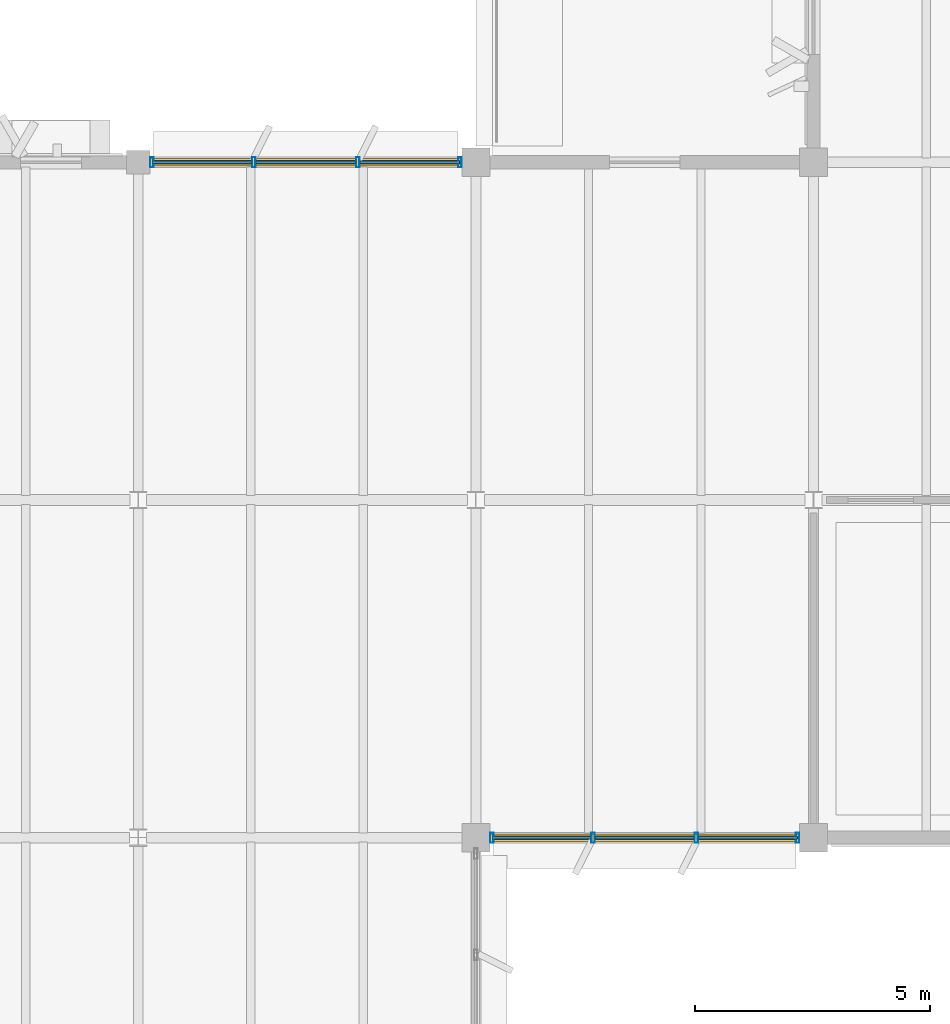
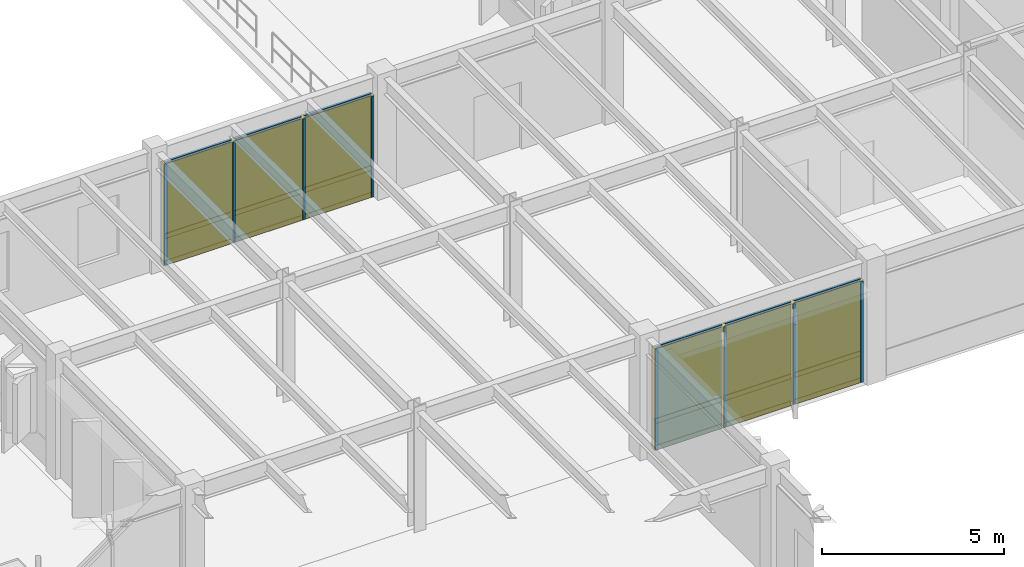
# One storey, part 54 of 85: 26 members, 12 plates, 2 curtain walls.
"""IFC4 building model written with IfcOpenShell, lengths in metres."""

from ifc_helpers import new_model, si_unit, direction, frame, origin, origin_2d, place, context, subcontext, project, spatial, rectangle, hollow_rectangle, extrude, material, layer, layer_set, material_profile, profile_set, type_object, element, aggregate, save


model = new_model("IFC4")

# Units and contexts
model_context = context("Model", 3, precision=1e-05, world=origin(), true_north=direction((0.0, 1.0)))
body_context = subcontext(model_context, "Body", "Model", "MODEL_VIEW")
ifc_project = project(units=[si_unit("LENGTHUNIT", "METRE"), si_unit("AREAUNIT", "SQUARE_METRE"), si_unit("VOLUMEUNIT", "CUBIC_METRE"), si_unit("PLANEANGLEUNIT", "RADIAN"), si_unit("MASSUNIT", "GRAM", prefix="KILO")], contexts=[model_context])

# Member
ifc_material_1 = material(Name="Anodized Aluminium 6063-T6", Category="aluminium")
ifc_material_profile_1 = material_profile(ifc_material_1, hollow_rectangle(XDim=0.074951171875, YDim=0.219970703125, WallThickness=0.0048828125, at=origin_2d()), Name="ALU 75x220x5")
ifc_profile_set_1 = profile_set([ifc_material_profile_1], Name="Anodized Aluminium 6063-T6")
member_type_1 = type_object("IfcMemberType", Name="CWM-75X180", PredefinedType="MULLION", material=ifc_profile_set_1)
site_placement = place(None, origin())
building_placement = place(site_placement, origin())
storey_placement = place(building_placement, frame((0.0, 0.0, 9.89990234375)))
member_1_placement = place(storey_placement, frame((29.090087890625, 93.60009765625, 0.02001953125), z_axis=(0.0, 0.0, 1.0), x_axis=(1.0, 0.0, 0.0)))
member_1 = element("IfcMember", 1, at=member_1_placement, type_object=member_type_1, Name="Curtain wall mullion CW-L03-04-12-N-00", PredefinedType="MULLION", context=body_context, shape_type="SweptSolid", body=[
    extrude(hollow_rectangle(XDim=0.074951171875, YDim=0.219970703125, WallThickness=0.0048828125, at=origin_2d()), origin(), (0.0, 0.0, 1.0), 3.378173828125),
])

member_2_placement = place(storey_placement, frame((31.2666015625, 93.60009765625, 0.02001953125), z_axis=(0.0, 0.0, 1.0), x_axis=(1.0, 0.0, 0.0)))
member_2 = element("IfcMember", 2, at=member_2_placement, type_object=member_type_1, Name="Curtain wall mullion CW-L03-04-12-N-01", PredefinedType="MULLION", context=body_context, shape_type="SweptSolid", body=[
    extrude(hollow_rectangle(XDim=0.074951171875, YDim=0.219970703125, WallThickness=0.0048828125, at=origin_2d()), origin(), (0.0, 0.0, 1.0), 3.378173828125),
])

member_3_placement = place(storey_placement, frame((33.4833984375, 93.60009765625, 0.02001953125), z_axis=(0.0, 0.0, 1.0), x_axis=(1.0, 0.0, 0.0)))
member_3 = element("IfcMember", 3, at=member_3_placement, type_object=member_type_1, Name="Curtain wall mullion CW-L03-04-12-N-02", PredefinedType="MULLION", context=body_context, shape_type="SweptSolid", body=[
    extrude(hollow_rectangle(XDim=0.074951171875, YDim=0.219970703125, WallThickness=0.0048828125, at=origin_2d()), origin(), (0.0, 0.0, 1.0), 3.378173828125),
])

member_4_placement = place(storey_placement, frame((35.659912109375, 93.60009765625, 0.02001953125), z_axis=(0.0, 0.0, 1.0), x_axis=(1.0, 0.0, 0.0)))
member_4 = element("IfcMember", 4, at=member_4_placement, type_object=member_type_1, Name="Curtain wall mullion CW-L03-04-12-N-03", PredefinedType="MULLION", context=body_context, shape_type="SweptSolid", body=[
    extrude(hollow_rectangle(XDim=0.074951171875, YDim=0.219970703125, WallThickness=0.0048828125, at=origin_2d()), origin(), (0.0, 0.0, 1.0), 3.378173828125),
])

member_5_placement = place(storey_placement, frame((42.860107421875, 79.199951171875, 0.02001953125), z_axis=(0.0, 0.0, 1.0), x_axis=(1.0, 0.0, 0.0)))
member_5 = element("IfcMember", 5, at=member_5_placement, type_object=member_type_1, Name="Curtain wall mullion CW-L03-05-11-S-00", PredefinedType="MULLION", context=body_context, shape_type="SweptSolid", body=[
    extrude(hollow_rectangle(XDim=0.074951171875, YDim=0.219970703125, WallThickness=0.0048828125, at=origin_2d()), origin(), (0.0, 0.0, 1.0), 3.378173828125),
])

member_6_placement = place(storey_placement, frame((40.699951171875, 79.199951171875, 0.02001953125), z_axis=(0.0, 0.0, 1.0), x_axis=(1.0, 0.0, 0.0)))
member_6 = element("IfcMember", 6, at=member_6_placement, type_object=member_type_1, Name="Curtain wall mullion CW-L03-05-11-S-01", PredefinedType="MULLION", context=body_context, shape_type="SweptSolid", body=[
    extrude(hollow_rectangle(XDim=0.074951171875, YDim=0.219970703125, WallThickness=0.0048828125, at=origin_2d()), origin(), (0.0, 0.0, 1.0), 3.378173828125),
])

member_7_placement = place(storey_placement, frame((38.5, 79.199951171875, 0.02001953125), z_axis=(0.0, 0.0, 1.0), x_axis=(1.0, 0.0, 0.0)))
member_7 = element("IfcMember", 7, at=member_7_placement, type_object=member_type_1, Name="Curtain wall mullion CW-L03-05-11-S-02", PredefinedType="MULLION", context=body_context, shape_type="SweptSolid", body=[
    extrude(hollow_rectangle(XDim=0.074951171875, YDim=0.219970703125, WallThickness=0.0048828125, at=origin_2d()), origin(), (0.0, 0.0, 1.0), 3.378173828125),
])

member_8_placement = place(storey_placement, frame((36.340087890625, 79.199951171875, 0.02001953125), z_axis=(0.0, 0.0, 1.0), x_axis=(1.0, 0.0, 0.0)))
member_8 = element("IfcMember", 8, at=member_8_placement, type_object=member_type_1, Name="Curtain wall mullion CW-L03-05-11-S-03", PredefinedType="MULLION", context=body_context, shape_type="SweptSolid", body=[
    extrude(hollow_rectangle(XDim=0.074951171875, YDim=0.219970703125, WallThickness=0.0048828125, at=origin_2d()), origin(), (0.0, 0.0, 1.0), 3.378173828125),
])

ifc_material_profile_2 = material_profile(ifc_material_1, hollow_rectangle(XDim=0.074951171875, YDim=0.159912109375, WallThickness=0.00390625, at=origin_2d()), Name="ALU 75x160x4")
ifc_profile_set_2 = profile_set([ifc_material_profile_2], Name="Anodized Aluminium 6063-T6")
member_type_2 = type_object("IfcMemberType", Name="CWT-75X150", PredefinedType="USERDEFINED", material=ifc_profile_set_2)
member_9_placement = place(storey_placement, frame((29.10009765625, 93.60009765625, 0.050048828125), z_axis=(1.0, 0.0, 0.0), x_axis=(0.0, 1.0, 0.0)))
member_9 = element("IfcMember", 9, at=member_9_placement, type_object=member_type_2, Name="Curtain wall transom CW-L03-04-12-N-1.01", ObjectType="TRANSOM", PredefinedType="USERDEFINED", context=body_context, shape_type="SweptSolid", body=[
    extrude(hollow_rectangle(XDim=0.074951171875, YDim=0.159912109375, WallThickness=0.00390625, at=origin_2d()), origin(), (0.0, 0.0, 1.0), 2.11669921875),
])

member_10_placement = place(storey_placement, frame((31.316650390625, 93.60009765625, 0.050048828125), z_axis=(1.0, 0.0, 0.0), x_axis=(0.0, 1.0, 0.0)))
member_10 = element("IfcMember", 10, at=member_10_placement, type_object=member_type_2, Name="Curtain wall transom CW-L03-04-12-N-1.02", ObjectType="TRANSOM", PredefinedType="USERDEFINED", context=body_context, shape_type="SweptSolid", body=[
    extrude(hollow_rectangle(XDim=0.074951171875, YDim=0.159912109375, WallThickness=0.00390625, at=origin_2d()), origin(), (0.0, 0.0, 1.0), 2.11669921875),
])

member_11_placement = place(storey_placement, frame((33.533203125, 93.60009765625, 0.050048828125), z_axis=(1.0, 0.0, 0.0), x_axis=(0.0, 1.0, 0.0)))
member_11 = element("IfcMember", 11, at=member_11_placement, type_object=member_type_2, Name="Curtain wall transom CW-L03-04-12-N-1.03", ObjectType="TRANSOM", PredefinedType="USERDEFINED", context=body_context, shape_type="SweptSolid", body=[
    extrude(hollow_rectangle(XDim=0.074951171875, YDim=0.159912109375, WallThickness=0.00390625, at=origin_2d()), origin(), (0.0, 0.0, 1.0), 2.11669921875),
])

member_12_placement = place(storey_placement, frame((29.10009765625, 93.60009765625, 0.9501953125), z_axis=(1.0, 0.0, 0.0), x_axis=(0.0, 1.0, 0.0)))
member_12 = element("IfcMember", 12, at=member_12_placement, type_object=member_type_2, Name="Curtain wall transom CW-L03-04-12-N-2.01", ObjectType="TRANSOM", PredefinedType="USERDEFINED", context=body_context, shape_type="SweptSolid", body=[
    extrude(hollow_rectangle(XDim=0.074951171875, YDim=0.159912109375, WallThickness=0.00390625, at=origin_2d()), origin(), (0.0, 0.0, 1.0), 2.11669921875),
])

member_13_placement = place(storey_placement, frame((31.316650390625, 93.60009765625, 0.9501953125), z_axis=(1.0, 0.0, 0.0), x_axis=(0.0, 1.0, 0.0)))
member_13 = element("IfcMember", 13, at=member_13_placement, type_object=member_type_2, Name="Curtain wall transom CW-L03-04-12-N-2.02", ObjectType="TRANSOM", PredefinedType="USERDEFINED", context=body_context, shape_type="SweptSolid", body=[
    extrude(hollow_rectangle(XDim=0.074951171875, YDim=0.159912109375, WallThickness=0.00390625, at=origin_2d()), origin(), (0.0, 0.0, 1.0), 2.11669921875),
])

member_14_placement = place(storey_placement, frame((33.533203125, 93.60009765625, 0.9501953125), z_axis=(1.0, 0.0, 0.0), x_axis=(0.0, 1.0, 0.0)))
member_14 = element("IfcMember", 14, at=member_14_placement, type_object=member_type_2, Name="Curtain wall transom CW-L03-04-12-N-2.03", ObjectType="TRANSOM", PredefinedType="USERDEFINED", context=body_context, shape_type="SweptSolid", body=[
    extrude(hollow_rectangle(XDim=0.074951171875, YDim=0.159912109375, WallThickness=0.00390625, at=origin_2d()), origin(), (0.0, 0.0, 1.0), 2.11669921875),
])

member_15_placement = place(storey_placement, frame((29.10009765625, 93.60009765625, 3.3681640625), z_axis=(1.0, 0.0, 0.0), x_axis=(0.0, 1.0, 0.0)))
member_15 = element("IfcMember", 15, at=member_15_placement, type_object=member_type_2, Name="Curtain wall transom CW-L03-04-12-N-3.01", ObjectType="TRANSOM", PredefinedType="USERDEFINED", context=body_context, shape_type="SweptSolid", body=[
    extrude(hollow_rectangle(XDim=0.074951171875, YDim=0.159912109375, WallThickness=0.00390625, at=origin_2d()), origin(), (0.0, 0.0, 1.0), 2.11669921875),
])

member_16_placement = place(storey_placement, frame((31.316650390625, 93.60009765625, 3.3681640625), z_axis=(1.0, 0.0, 0.0), x_axis=(0.0, 1.0, 0.0)))
member_16 = element("IfcMember", 16, at=member_16_placement, type_object=member_type_2, Name="Curtain wall transom CW-L03-04-12-N-3.02", ObjectType="TRANSOM", PredefinedType="USERDEFINED", context=body_context, shape_type="SweptSolid", body=[
    extrude(hollow_rectangle(XDim=0.074951171875, YDim=0.159912109375, WallThickness=0.00390625, at=origin_2d()), origin(), (0.0, 0.0, 1.0), 2.11669921875),
])

member_17_placement = place(storey_placement, frame((33.533203125, 93.60009765625, 3.3681640625), z_axis=(1.0, 0.0, 0.0), x_axis=(0.0, 1.0, 0.0)))
member_17 = element("IfcMember", 17, at=member_17_placement, type_object=member_type_2, Name="Curtain wall transom CW-L03-04-12-N-3.03", ObjectType="TRANSOM", PredefinedType="USERDEFINED", context=body_context, shape_type="SweptSolid", body=[
    extrude(hollow_rectangle(XDim=0.074951171875, YDim=0.159912109375, WallThickness=0.00390625, at=origin_2d()), origin(), (0.0, 0.0, 1.0), 2.11669921875),
])

member_18_placement = place(storey_placement, frame((42.85009765625, 79.199951171875, 0.050048828125), z_axis=(-1.0, 0.0, 0.0), x_axis=(0.0, -1.0, 0.0)))
member_18 = element("IfcMember", 18, at=member_18_placement, type_object=member_type_2, Name="Curtain wall transom CW-L03-05-11-S-1.01", ObjectType="TRANSOM", PredefinedType="USERDEFINED", context=body_context, shape_type="SweptSolid", body=[
    extrude(hollow_rectangle(XDim=0.074951171875, YDim=0.159912109375, WallThickness=0.00390625, at=origin_2d()), origin(), (0.0, 0.0, 1.0), 2.10009765625),
])

member_19_placement = place(storey_placement, frame((40.64990234375, 79.199951171875, 0.050048828125), z_axis=(-1.0, 0.0, 0.0), x_axis=(0.0, -1.0, 0.0)))
member_19 = element("IfcMember", 19, at=member_19_placement, type_object=member_type_2, Name="Curtain wall transom CW-L03-05-11-S-1.02", ObjectType="TRANSOM", PredefinedType="USERDEFINED", context=body_context, shape_type="SweptSolid", body=[
    extrude(hollow_rectangle(XDim=0.074951171875, YDim=0.159912109375, WallThickness=0.00390625, at=origin_2d()), origin(), (0.0, 0.0, 1.0), 2.099853515625),
])

member_20_placement = place(storey_placement, frame((38.449951171875, 79.199951171875, 0.050048828125), z_axis=(-1.0, 0.0, 0.0), x_axis=(0.0, -1.0, 0.0)))
member_20 = element("IfcMember", 20, at=member_20_placement, type_object=member_type_2, Name="Curtain wall transom CW-L03-05-11-S-1.03", ObjectType="TRANSOM", PredefinedType="USERDEFINED", context=body_context, shape_type="SweptSolid", body=[
    extrude(hollow_rectangle(XDim=0.074951171875, YDim=0.159912109375, WallThickness=0.00390625, at=origin_2d()), origin(), (0.0, 0.0, 1.0), 2.099853515625),
])

member_21_placement = place(storey_placement, frame((42.85009765625, 79.199951171875, 0.9501953125), z_axis=(-1.0, 0.0, 0.0), x_axis=(0.0, -1.0, 0.0)))
member_21 = element("IfcMember", 21, at=member_21_placement, type_object=member_type_2, Name="Curtain wall transom CW-L03-05-11-S-2.01", ObjectType="TRANSOM", PredefinedType="USERDEFINED", context=body_context, shape_type="SweptSolid", body=[
    extrude(hollow_rectangle(XDim=0.074951171875, YDim=0.159912109375, WallThickness=0.00390625, at=origin_2d()), origin(), (0.0, 0.0, 1.0), 2.10009765625),
])

member_22_placement = place(storey_placement, frame((40.64990234375, 79.199951171875, 0.9501953125), z_axis=(-1.0, 0.0, 0.0), x_axis=(0.0, -1.0, 0.0)))
member_22 = element("IfcMember", 22, at=member_22_placement, type_object=member_type_2, Name="Curtain wall transom CW-L03-05-11-S-2.02", ObjectType="TRANSOM", PredefinedType="USERDEFINED", context=body_context, shape_type="SweptSolid", body=[
    extrude(hollow_rectangle(XDim=0.074951171875, YDim=0.159912109375, WallThickness=0.00390625, at=origin_2d()), origin(), (0.0, 0.0, 1.0), 2.099853515625),
])

member_23_placement = place(storey_placement, frame((38.449951171875, 79.199951171875, 0.9501953125), z_axis=(-1.0, 0.0, 0.0), x_axis=(0.0, -1.0, 0.0)))
member_23 = element("IfcMember", 23, at=member_23_placement, type_object=member_type_2, Name="Curtain wall transom CW-L03-05-11-S-2.03", ObjectType="TRANSOM", PredefinedType="USERDEFINED", context=body_context, shape_type="SweptSolid", body=[
    extrude(hollow_rectangle(XDim=0.074951171875, YDim=0.159912109375, WallThickness=0.00390625, at=origin_2d()), origin(), (0.0, 0.0, 1.0), 2.099853515625),
])

member_24_placement = place(storey_placement, frame((42.85009765625, 79.199951171875, 3.3681640625), z_axis=(-1.0, 0.0, 0.0), x_axis=(0.0, -1.0, 0.0)))
member_24 = element("IfcMember", 24, at=member_24_placement, type_object=member_type_2, Name="Curtain wall transom CW-L03-05-11-S-3.01", ObjectType="TRANSOM", PredefinedType="USERDEFINED", context=body_context, shape_type="SweptSolid", body=[
    extrude(hollow_rectangle(XDim=0.074951171875, YDim=0.159912109375, WallThickness=0.00390625, at=origin_2d()), origin(), (0.0, 0.0, 1.0), 2.10009765625),
])

member_25_placement = place(storey_placement, frame((40.64990234375, 79.199951171875, 3.3681640625), z_axis=(-1.0, 0.0, 0.0), x_axis=(0.0, -1.0, 0.0)))
member_25 = element("IfcMember", 25, at=member_25_placement, type_object=member_type_2, Name="Curtain wall transom CW-L03-05-11-S-3.02", ObjectType="TRANSOM", PredefinedType="USERDEFINED", context=body_context, shape_type="SweptSolid", body=[
    extrude(hollow_rectangle(XDim=0.074951171875, YDim=0.159912109375, WallThickness=0.00390625, at=origin_2d()), origin(), (0.0, 0.0, 1.0), 2.099853515625),
])

member_26_placement = place(storey_placement, frame((38.449951171875, 79.199951171875, 3.3681640625), z_axis=(-1.0, 0.0, 0.0), x_axis=(0.0, -1.0, 0.0)))
member_26 = element("IfcMember", 26, at=member_26_placement, type_object=member_type_2, Name="Curtain wall transom CW-L03-05-11-S-3.03", ObjectType="TRANSOM", PredefinedType="USERDEFINED", context=body_context, shape_type="SweptSolid", body=[
    extrude(hollow_rectangle(XDim=0.074951171875, YDim=0.159912109375, WallThickness=0.00390625, at=origin_2d()), origin(), (0.0, 0.0, 1.0), 2.099853515625),
])

# Plate
ifc_material_2 = material(Name="Acoustic Laminated Low-E Glazing", Category="glass")
ifc_layer_1 = layer(ifc_material_2, 0.0439453125)
ifc_layer_set_1 = layer_set([ifc_layer_1], Name="Acoustic Laminated Low-E Glazing")
plate_type_1 = type_object("IfcPlateType", Name="CWP-IGU-44", PredefinedType="CURTAIN_PANEL", material=ifc_layer_set_1)
plate_1_placement = place(storey_placement, frame((30.158203125, 93.60009765625, 0.990234375), z_axis=(0.0, 0.0, 1.0), x_axis=(1.0, 0.0, 0.0)))
plate_1 = element("IfcPlate", 27, at=plate_1_placement, type_object=plate_type_1, Name="Curtain wall vision glazing CW-L03-04-12-N-01", PredefinedType="CURTAIN_PANEL", context=body_context, shape_type="SweptSolid", body=[
    extrude(rectangle(XDim=2.126708984375, YDim=0.0400390625, at=origin_2d()), origin(), (0.0, 0.0, 1.0), 2.367919921875),
])

plate_2_placement = place(storey_placement, frame((32.375, 93.60009765625, 0.990234375), z_axis=(0.0, 0.0, 1.0), x_axis=(1.0, 0.0, 0.0)))
plate_2 = element("IfcPlate", 28, at=plate_2_placement, type_object=plate_type_1, Name="Curtain wall vision glazing CW-L03-04-12-N-02", PredefinedType="CURTAIN_PANEL", context=body_context, shape_type="SweptSolid", body=[
    extrude(rectangle(XDim=2.126708984375, YDim=0.0400390625, at=origin_2d()), origin(), (0.0, 0.0, 1.0), 2.367919921875),
])

plate_3_placement = place(storey_placement, frame((34.591796875, 93.60009765625, 0.990234375), z_axis=(0.0, 0.0, 1.0), x_axis=(1.0, 0.0, 0.0)))
plate_3 = element("IfcPlate", 29, at=plate_3_placement, type_object=plate_type_1, Name="Curtain wall vision glazing CW-L03-04-12-N-03", PredefinedType="CURTAIN_PANEL", context=body_context, shape_type="SweptSolid", body=[
    extrude(rectangle(XDim=2.126708984375, YDim=0.0400390625, at=origin_2d()), origin(), (0.0, 0.0, 1.0), 2.367919921875),
])

plate_4_placement = place(storey_placement, frame((41.800048828125, 79.199951171875, 0.990234375), z_axis=(0.0, 0.0, 1.0), x_axis=(-1.0, 0.0, 0.0)))
plate_4 = element("IfcPlate", 30, at=plate_4_placement, type_object=plate_type_1, Name="Curtain wall vision glazing CW-L03-05-11-S-01", PredefinedType="CURTAIN_PANEL", context=body_context, shape_type="SweptSolid", body=[
    extrude(rectangle(XDim=2.110107421875, YDim=0.0400390625, at=origin_2d()), origin(), (0.0, 0.0, 1.0), 2.367919921875),
])

plate_5_placement = place(storey_placement, frame((39.60009765625, 79.199951171875, 0.990234375), z_axis=(0.0, 0.0, 1.0), x_axis=(-1.0, 0.0, 0.0)))
plate_5 = element("IfcPlate", 31, at=plate_5_placement, type_object=plate_type_1, Name="Curtain wall vision glazing CW-L03-05-11-S-02", PredefinedType="CURTAIN_PANEL", context=body_context, shape_type="SweptSolid", body=[
    extrude(rectangle(XDim=2.110107421875, YDim=0.0400390625, at=origin_2d()), origin(), (0.0, 0.0, 1.0), 2.367919921875),
])

plate_6_placement = place(storey_placement, frame((37.39990234375, 79.199951171875, 0.990234375), z_axis=(0.0, 0.0, 1.0), x_axis=(-1.0, 0.0, 0.0)))
plate_6 = element("IfcPlate", 32, at=plate_6_placement, type_object=plate_type_1, Name="Curtain wall vision glazing CW-L03-05-11-S-03", PredefinedType="CURTAIN_PANEL", context=body_context, shape_type="SweptSolid", body=[
    extrude(rectangle(XDim=2.110107421875, YDim=0.0400390625, at=origin_2d()), origin(), (0.0, 0.0, 1.0), 2.367919921875),
])

ifc_material_3 = material(Name="Insulated Stone-Composite Spandrel", Category="masonry")
ifc_layer_2 = layer(ifc_material_3, 0.068115234375)
ifc_layer_set_2 = layer_set([ifc_layer_2], Name="Insulated Stone-Composite Spandrel")
plate_type_2 = type_object("IfcPlateType", Name="CWP-SPN-68", PredefinedType="CURTAIN_PANEL", material=ifc_layer_set_2)
plate_7_placement = place(storey_placement, frame((30.158203125, 93.60009765625, 0.080078125), z_axis=(0.0, 0.0, 1.0), x_axis=(1.0, 0.0, 0.0)))
plate_7 = element("IfcPlate", 33, at=plate_7_placement, type_object=plate_type_2, Name="Curtain wall spandrel panel CW-L03-04-12-N-01", PredefinedType="CURTAIN_PANEL", context=body_context, shape_type="SweptSolid", body=[
    extrude(rectangle(XDim=2.126708984375, YDim=0.06005859375, at=origin_2d()), origin(), (0.0, 0.0, 1.0), 0.840087890625),
])

plate_8_placement = place(storey_placement, frame((32.375, 93.60009765625, 0.080078125), z_axis=(0.0, 0.0, 1.0), x_axis=(1.0, 0.0, 0.0)))
plate_8 = element("IfcPlate", 34, at=plate_8_placement, type_object=plate_type_2, Name="Curtain wall spandrel panel CW-L03-04-12-N-02", PredefinedType="CURTAIN_PANEL", context=body_context, shape_type="SweptSolid", body=[
    extrude(rectangle(XDim=2.126708984375, YDim=0.06005859375, at=origin_2d()), origin(), (0.0, 0.0, 1.0), 0.840087890625),
])

plate_9_placement = place(storey_placement, frame((34.591796875, 93.60009765625, 0.080078125), z_axis=(0.0, 0.0, 1.0), x_axis=(1.0, 0.0, 0.0)))
plate_9 = element("IfcPlate", 35, at=plate_9_placement, type_object=plate_type_2, Name="Curtain wall spandrel panel CW-L03-04-12-N-03", PredefinedType="CURTAIN_PANEL", context=body_context, shape_type="SweptSolid", body=[
    extrude(rectangle(XDim=2.126708984375, YDim=0.06005859375, at=origin_2d()), origin(), (0.0, 0.0, 1.0), 0.840087890625),
])

plate_10_placement = place(storey_placement, frame((41.800048828125, 79.199951171875, 0.080078125), z_axis=(0.0, 0.0, 1.0), x_axis=(-1.0, 0.0, 0.0)))
plate_10 = element("IfcPlate", 36, at=plate_10_placement, type_object=plate_type_2, Name="Curtain wall spandrel panel CW-L03-05-11-S-01", PredefinedType="CURTAIN_PANEL", context=body_context, shape_type="SweptSolid", body=[
    extrude(rectangle(XDim=2.110107421875, YDim=0.06005859375, at=origin_2d()), origin(), (0.0, 0.0, 1.0), 0.840087890625),
])

plate_11_placement = place(storey_placement, frame((39.60009765625, 79.199951171875, 0.080078125), z_axis=(0.0, 0.0, 1.0), x_axis=(-1.0, 0.0, 0.0)))
plate_11 = element("IfcPlate", 37, at=plate_11_placement, type_object=plate_type_2, Name="Curtain wall spandrel panel CW-L03-05-11-S-02", PredefinedType="CURTAIN_PANEL", context=body_context, shape_type="SweptSolid", body=[
    extrude(rectangle(XDim=2.110107421875, YDim=0.06005859375, at=origin_2d()), origin(), (0.0, 0.0, 1.0), 0.840087890625),
])

plate_12_placement = place(storey_placement, frame((37.39990234375, 79.199951171875, 0.080078125), z_axis=(0.0, 0.0, 1.0), x_axis=(-1.0, 0.0, 0.0)))
plate_12 = element("IfcPlate", 38, at=plate_12_placement, type_object=plate_type_2, Name="Curtain wall spandrel panel CW-L03-05-11-S-03", PredefinedType="CURTAIN_PANEL", context=body_context, shape_type="SweptSolid", body=[
    extrude(rectangle(XDim=2.110107421875, YDim=0.06005859375, at=origin_2d()), origin(), (0.0, 0.0, 1.0), 0.840087890625),
])

# Site, building, storey
site = spatial("IfcSite", under=ifc_project, at=site_placement, CompositionType="ELEMENT")
building = spatial("IfcBuilding", under=site, at=building_placement, Name="Sillqori Civic Hall", CompositionType="ELEMENT")
storey = spatial("IfcBuildingStorey", under=building, at=storey_placement, Name="L03", CompositionType="ELEMENT", Elevation=9.89990234375)

# Curtain wall
ifc_material_4 = material(Name="Anodized Aluminium Curtain Wall System", Category="aluminium")
curtain_wall_type = type_object("IfcCurtainWallType", Name="CW-GL-400", PredefinedType="NOTDEFINED", material=ifc_material_4)
curtain_wall_1_placement = place(storey_placement, frame((32.375, 93.60009765625, 0.0), z_axis=(0.0, 0.0, 1.0), x_axis=(1.0, 0.0, 0.0)))
curtain_wall_1 = element("IfcCurtainWall", 39, at=curtain_wall_1_placement, inside=storey, type_object=curtain_wall_type, Name="L03 unitised curtain wall CW-L03-04-12-N", PredefinedType="NOTDEFINED", context=body_context, shape_type="SweptSolid", body=[
    extrude(rectangle(XDim=6.64990234375, YDim=0.159912109375, at=origin_2d()), origin(), (0.0, 0.0, 1.0), 3.41796875),
])

aggregate(curtain_wall_1, [member_1, member_2, member_3, member_4, member_9, member_10, member_11, member_12, member_13, member_14, member_15, member_16, member_17, plate_7, plate_1, plate_8, plate_2, plate_9, plate_3])

curtain_wall_2_placement = place(storey_placement, frame((39.60009765625, 79.199951171875, 0.0), z_axis=(0.0, 0.0, 1.0), x_axis=(-1.0, 0.0, 0.0)))
curtain_wall_2 = element("IfcCurtainWall", 40, at=curtain_wall_2_placement, inside=storey, type_object=curtain_wall_type, Name="L03 unitised curtain wall CW-L03-05-11-S", PredefinedType="NOTDEFINED", context=body_context, shape_type="SweptSolid", body=[
    extrude(rectangle(XDim=6.60009765625, YDim=0.159912109375, at=origin_2d()), origin(), (0.0, 0.0, 1.0), 3.41796875),
])

aggregate(curtain_wall_2, [member_5, member_6, member_7, member_8, member_18, member_19, member_20, member_21, member_22, member_23, member_24, member_25, member_26, plate_10, plate_4, plate_11, plate_5, plate_12, plate_6])

save(model, "model.ifc")
